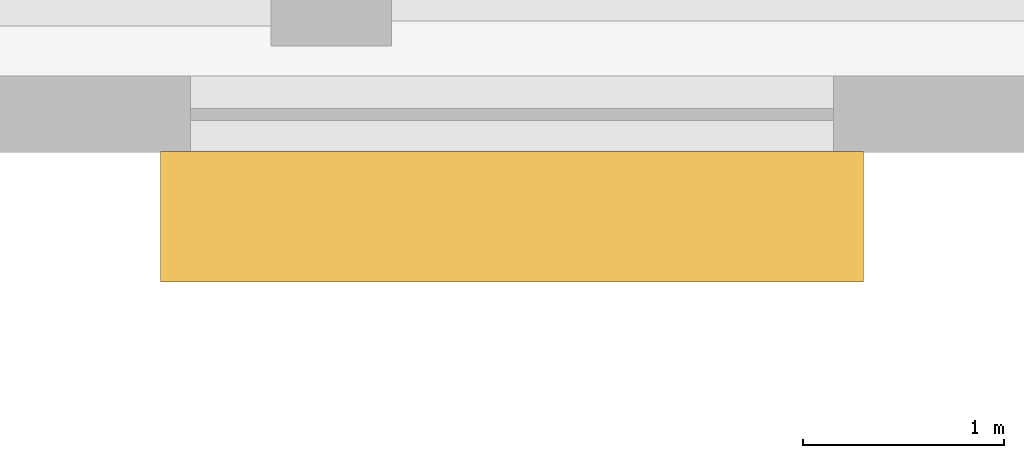
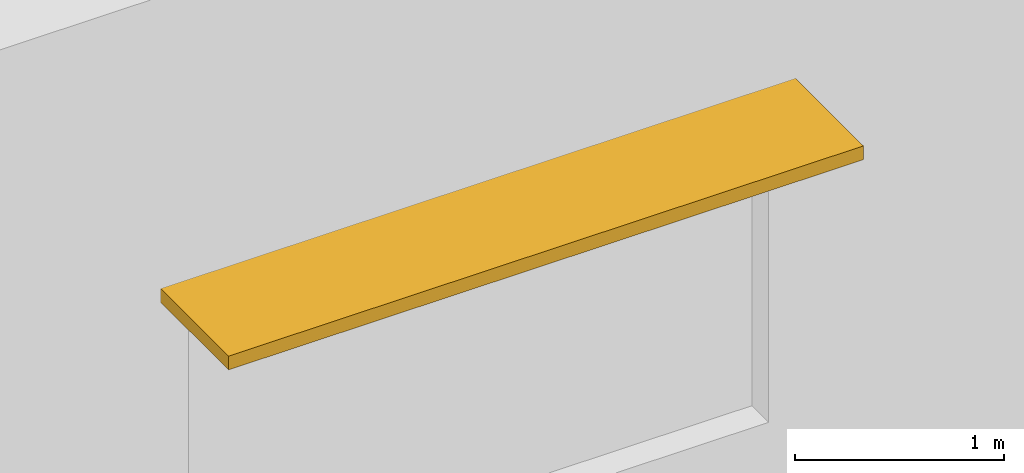
# One storey, part 72 of 76: 1 shading device.
"""IFC4 building model written with IfcOpenShell, lengths in metres."""

from ifc_helpers import new_model, si_unit, direction, frame, origin, origin_2d, place, context, subcontext, project, spatial, rectangle, extrude, material, type_object, element, save


model = new_model("IFC4")

# Units and contexts
model_context = context("Model", 3, precision=1e-05, world=origin(), true_north=direction((0.0, 1.0)))
body_context = subcontext(model_context, "Body", "Model", "MODEL_VIEW")
ifc_project = project(units=[si_unit("LENGTHUNIT", "METRE"), si_unit("AREAUNIT", "SQUARE_METRE"), si_unit("VOLUMEUNIT", "CUBIC_METRE"), si_unit("PLANEANGLEUNIT", "RADIAN"), si_unit("MASSUNIT", "GRAM", prefix="KILO")], contexts=[model_context])

# Site, building, storey
site_placement = place(None, origin())
site = spatial("IfcSite", under=ifc_project, at=site_placement, CompositionType="ELEMENT")
building_placement = place(site_placement, origin())
building = spatial("IfcBuilding", under=site, at=building_placement, Name="Cinchona Park Media Centre", CompositionType="ELEMENT")
storey_placement = place(building_placement, frame((0.0, 0.0, 15.60009765625)))
storey = spatial("IfcBuildingStorey", under=building, at=storey_placement, Name="L03", CompositionType="ELEMENT", Elevation=15.60009765625)

# Shading device
ifc_material = material(Name="Anodised Aluminium Horizontal Brise-Soleil", Category="aluminium")
shading_device_type = type_object("IfcShadingDeviceType", Name="SHADING-SUN01", PredefinedType="AWNING", material=ifc_material)
shading_device_placement = place(storey_placement, frame((135.699951171875, 101.489990234375, 2.769775390625), z_axis=(0.0, 0.0, 1.0), x_axis=(-1.0, 0.0, 0.0)))
element("IfcShadingDevice", 1, at=shading_device_placement, inside=storey, type_object=shading_device_type, Name="Horizontal Sunshade SHD02 L03", PredefinedType="AWNING", context=body_context, shape_type="SweptSolid", body=[
    extrude(rectangle(XDim=3.5, YDim=0.64990234375, at=origin_2d()), origin(), (0.0, 0.0, 1.0), 0.080078125),
])

save(model, "model.ifc")
